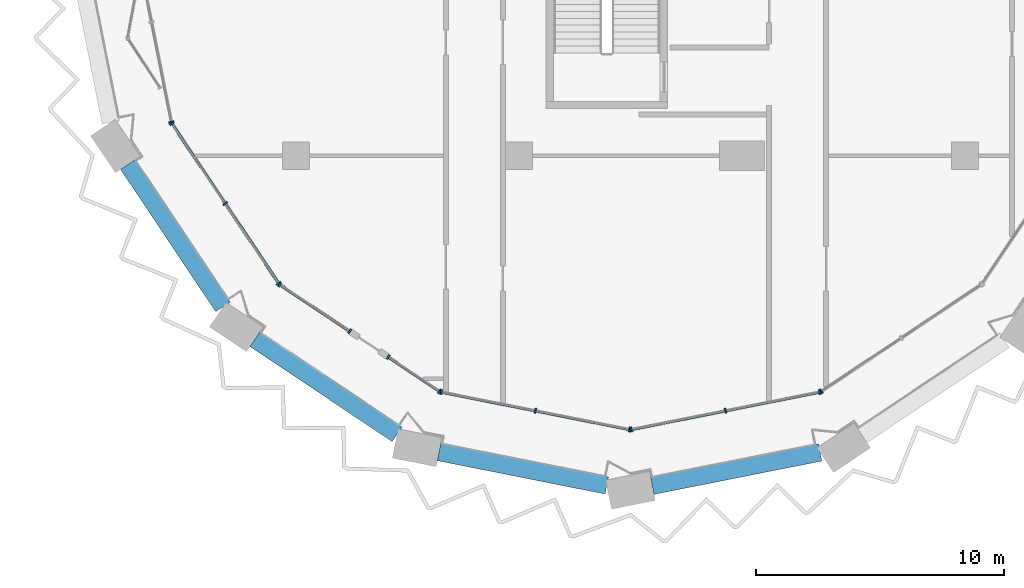
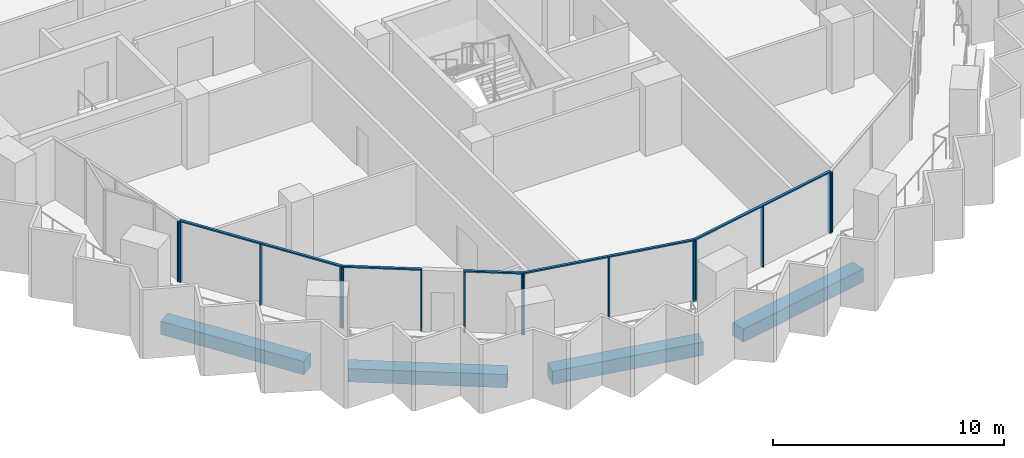
# One storey, part 2 of 18: 20 members, 4 beams, 7 elements without a shape of their own.
"""IFC4 building model written with IfcOpenShell, lengths in metres."""

from ifc_helpers import new_model, si_unit, direction, frame, origin, origin_2d, place, context, subcontext, project, spatial, rectangle, extrude, material, material_profile, profile_set, type_object, element, aggregate, save


model = new_model("IFC4")

# Units and contexts
model_context = context("Model", 3, precision=1e-05, world=origin(), true_north=direction((0.0, 1.0)))
body_context = subcontext(model_context, "Body", "Model", "MODEL_VIEW")
ifc_project = project(units=[si_unit("LENGTHUNIT", "METRE"), si_unit("AREAUNIT", "SQUARE_METRE"), si_unit("VOLUMEUNIT", "CUBIC_METRE"), si_unit("PLANEANGLEUNIT", "RADIAN"), si_unit("MASSUNIT", "GRAM", prefix="KILO")], contexts=[model_context])

# Site, building, storey
site_placement = place(None, origin())
site = spatial("IfcSite", under=ifc_project, at=site_placement, CompositionType="ELEMENT")
building_placement = place(site_placement, origin())
building = spatial("IfcBuilding", under=site, at=building_placement, Name="Hunhe Ridgeline Campus", CompositionType="ELEMENT")
storey_placement = place(building_placement, frame((0.0, 0.0, 223.5)))
storey = spatial("IfcBuildingStorey", under=building, at=storey_placement, Name="L57", CompositionType="ELEMENT", Elevation=223.5)

# Curtain wall, member
ifc_material_1 = material(Name="Aluminium 6063", Category="aluminium")
curtain_wall_type = type_object("IfcCurtainWallType", Name="Curtain wall CW-5", PredefinedType="NOTDEFINED", material=ifc_material_1)
curtain_wall_1_placement = place(storey_placement, origin())
curtain_wall_1 = element("IfcCurtainWall", 1, at=curtain_wall_1_placement, inside=storey, type_object=curtain_wall_type, Name="Curtain wall 01", PredefinedType="NOTDEFINED")
ifc_material_profile_1 = material_profile(ifc_material_1, rectangle(XDim=0.199951171875, YDim=0.070068359375, at=origin_2d()))
ifc_profile_set_1 = profile_set([ifc_material_profile_1], Name="Aluminium 6063")
member_type_1 = type_object("IfcMemberType", Name="CW-5 aluminium mullion", PredefinedType="MULLION", material=ifc_profile_set_1)
member_1_placement = place(storey_placement, frame((3.967529296875, 28.36083984375, 0.0), z_axis=(0.0, 0.0, 1.0), x_axis=(0.980784280831, 0.195095347137, 0.0)))
member_1 = element("IfcMember", 2, at=member_1_placement, type_object=member_type_1, Name="CW-5 mullion 3", PredefinedType="MULLION", context=body_context, shape_type="SweptSolid", body=[
    extrude(rectangle(XDim=0.199951171875, YDim=0.070068359375, at=origin_2d()), origin(), (0.0, 0.0, 1.0), 3.179931640625),
])
aggregate(curtain_wall_1, [member_1])

# Curtain wall, members
curtain_wall_2_placement = place(storey_placement, origin())
curtain_wall_2 = element("IfcCurtainWall", 3, at=curtain_wall_2_placement, inside=storey, type_object=curtain_wall_type, Name="Curtain wall 02", PredefinedType="NOTDEFINED")
member_2_placement = place(storey_placement, frame((3.993896484375, 28.29736328125, 0.0), z_axis=(0.0, 0.0, 1.0), x_axis=(0.831469584522, 0.555570274596, 0.0)))
member_2 = element("IfcMember", 4, at=member_2_placement, type_object=member_type_1, Name="CW-5 mullion 1", PredefinedType="MULLION", context=body_context, shape_type="SweptSolid", body=[
    extrude(rectangle(XDim=0.199951171875, YDim=0.070068359375, at=origin_2d()), origin(), (0.0, 0.0, 1.0), 3.179931640625),
])
member_3_placement = place(storey_placement, frame((6.147705078125, 25.07373046875, 0.0), z_axis=(0.0, 0.0, 1.0), x_axis=(0.831469584522, 0.555570274596, 0.0)))
member_3 = element("IfcMember", 5, at=member_3_placement, type_object=member_type_1, Name="CW-5 mullion 2", PredefinedType="MULLION", context=body_context, shape_type="SweptSolid", body=[
    extrude(rectangle(XDim=0.199951171875, YDim=0.070068359375, at=origin_2d()), origin(), (0.0, 0.0, 1.0), 3.179931640625),
])
member_4_placement = place(storey_placement, frame((8.3017578125, 21.850341796875, 0.0), z_axis=(0.0, 0.0, 1.0), x_axis=(0.831469584522, 0.555570274596, 0.0)))
member_4 = element("IfcMember", 6, at=member_4_placement, type_object=member_type_1, Name="CW-5 mullion 3", PredefinedType="MULLION", context=body_context, shape_type="SweptSolid", body=[
    extrude(rectangle(XDim=0.199951171875, YDim=0.070068359375, at=origin_2d()), origin(), (0.0, 0.0, 1.0), 3.179931640625),
])

curtain_wall_3_placement = place(storey_placement, origin())
curtain_wall_3 = element("IfcCurtainWall", 7, at=curtain_wall_3_placement, inside=storey, type_object=curtain_wall_type, Name="Curtain wall 03", PredefinedType="NOTDEFINED")
member_5_placement = place(storey_placement, frame((8.350341796875, 21.8017578125, 0.0), z_axis=(0.0, 0.0, 1.0), x_axis=(0.555570257501, 0.831469595944, 0.0)))
member_5 = element("IfcMember", 8, at=member_5_placement, type_object=member_type_1, Name="CW-5 mullion 1", PredefinedType="MULLION", context=body_context, shape_type="SweptSolid", body=[
    extrude(rectangle(XDim=0.199951171875, YDim=0.070068359375, at=origin_2d()), origin(), (0.0, 0.0, 1.0), 3.179931640625),
])
member_6_placement = place(storey_placement, frame((11.17041015625, 19.917236328125, 0.0), z_axis=(0.0, 0.0, 1.0), x_axis=(0.555570257501, 0.831469595944, 0.0)))
member_6 = element("IfcMember", 9, at=member_6_placement, type_object=member_type_1, Name="CW-5 mullion 2", PredefinedType="MULLION", context=body_context, shape_type="SweptSolid", body=[
    extrude(rectangle(XDim=0.199951171875, YDim=0.070068359375, at=origin_2d()), origin(), (0.0, 0.0, 1.0), 3.179931640625),
])

curtain_wall_4_placement = place(storey_placement, origin())
curtain_wall_4 = element("IfcCurtainWall", 10, at=curtain_wall_4_placement, inside=storey, type_object=curtain_wall_type, Name="Curtain wall 04", PredefinedType="NOTDEFINED")
member_7_placement = place(storey_placement, frame((12.725341796875, 18.87841796875, 0.0), z_axis=(0.0, 0.0, 1.0), x_axis=(0.555570385598, 0.831469510353, 0.0)))
member_7 = element("IfcMember", 11, at=member_7_placement, type_object=member_type_1, Name="CW-5 mullion 1", PredefinedType="MULLION", context=body_context, shape_type="SweptSolid", body=[
    extrude(rectangle(XDim=0.199951171875, YDim=0.070068359375, at=origin_2d()), origin(), (0.0, 0.0, 1.0), 3.179931640625),
])
member_8_placement = place(storey_placement, frame((14.79736328125, 17.493896484375, 0.0), z_axis=(0.0, 0.0, 1.0), x_axis=(0.555570385598, 0.831469510353, 0.0)))
member_8 = element("IfcMember", 12, at=member_8_placement, type_object=member_type_1, Name="CW-5 mullion 2", PredefinedType="MULLION", context=body_context, shape_type="SweptSolid", body=[
    extrude(rectangle(XDim=0.199951171875, YDim=0.070068359375, at=origin_2d()), origin(), (0.0, 0.0, 1.0), 3.179931640625),
])

curtain_wall_5_placement = place(storey_placement, origin())
curtain_wall_5 = element("IfcCurtainWall", 13, at=curtain_wall_5_placement, inside=storey, type_object=curtain_wall_type, Name="Curtain wall 05", PredefinedType="NOTDEFINED")
member_9_placement = place(storey_placement, frame((14.86083984375, 17.467529296875, 0.0), z_axis=(0.0, 0.0, 1.0), x_axis=(0.195090347539, 0.980785275326, 0.0)))
member_9 = element("IfcMember", 14, at=member_9_placement, type_object=member_type_1, Name="CW-5 mullion 1", PredefinedType="MULLION", context=body_context, shape_type="SweptSolid", body=[
    extrude(rectangle(XDim=0.199951171875, YDim=0.070068359375, at=origin_2d()), origin(), (0.0, 0.0, 1.0), 3.179931640625),
])
member_10_placement = place(storey_placement, frame((18.663330078125, 16.711181640625, 0.0), z_axis=(0.0, 0.0, 1.0), x_axis=(0.195090347539, 0.980785275326, 0.0)))
member_10 = element("IfcMember", 15, at=member_10_placement, type_object=member_type_1, Name="CW-5 mullion 2", PredefinedType="MULLION", context=body_context, shape_type="SweptSolid", body=[
    extrude(rectangle(XDim=0.199951171875, YDim=0.070068359375, at=origin_2d()), origin(), (0.0, 0.0, 1.0), 3.179931640625),
])
member_11_placement = place(storey_placement, frame((22.465576171875, 15.954833984375, 0.0), z_axis=(0.0, 0.0, 1.0), x_axis=(0.195090347539, 0.980785275326, 0.0)))
member_11 = element("IfcMember", 16, at=member_11_placement, type_object=member_type_1, Name="CW-5 mullion 3", PredefinedType="MULLION", context=body_context, shape_type="SweptSolid", body=[
    extrude(rectangle(XDim=0.199951171875, YDim=0.070068359375, at=origin_2d()), origin(), (0.0, 0.0, 1.0), 3.179931640625),
])

curtain_wall_6_placement = place(storey_placement, origin())
curtain_wall_6 = element("IfcCurtainWall", 17, at=curtain_wall_6_placement, inside=storey, type_object=curtain_wall_type, Name="Curtain wall 06", PredefinedType="NOTDEFINED")
member_12_placement = place(storey_placement, frame((22.534423828125, 15.954833984375, 0.0), z_axis=(0.0, 0.0, 1.0), x_axis=(-0.195090347539, 0.980785275326, 0.0)))
member_12 = element("IfcMember", 18, at=member_12_placement, type_object=member_type_1, Name="CW-5 mullion 1", PredefinedType="MULLION", context=body_context, shape_type="SweptSolid", body=[
    extrude(rectangle(XDim=0.199951171875, YDim=0.070068359375, at=origin_2d()), origin(), (0.0, 0.0, 1.0), 3.179931640625),
])
member_13_placement = place(storey_placement, frame((26.336669921875, 16.711181640625, 0.0), z_axis=(0.0, 0.0, 1.0), x_axis=(-0.195090347539, 0.980785275326, 0.0)))
member_13 = element("IfcMember", 19, at=member_13_placement, type_object=member_type_1, Name="CW-5 mullion 2", PredefinedType="MULLION", context=body_context, shape_type="SweptSolid", body=[
    extrude(rectangle(XDim=0.199951171875, YDim=0.070068359375, at=origin_2d()), origin(), (0.0, 0.0, 1.0), 3.179931640625),
])
member_14_placement = place(storey_placement, frame((30.13916015625, 17.467529296875, 0.0), z_axis=(0.0, 0.0, 1.0), x_axis=(-0.195090347539, 0.980785275326, 0.0)))
member_14 = element("IfcMember", 20, at=member_14_placement, type_object=member_type_1, Name="CW-5 mullion 3", PredefinedType="MULLION", context=body_context, shape_type="SweptSolid", body=[
    extrude(rectangle(XDim=0.199951171875, YDim=0.070068359375, at=origin_2d()), origin(), (0.0, 0.0, 1.0), 3.179931640625),
])

# Curtain wall, member
curtain_wall_7_placement = place(storey_placement, origin())
curtain_wall_7 = element("IfcCurtainWall", 21, at=curtain_wall_7_placement, inside=storey, type_object=curtain_wall_type, Name="Curtain wall 07", PredefinedType="NOTDEFINED")
member_15_placement = place(storey_placement, frame((30.20263671875, 17.493896484375, 0.0), z_axis=(0.0, 0.0, 1.0), x_axis=(-0.555570274596, 0.831469584522, 0.0)))
member_15 = element("IfcMember", 22, at=member_15_placement, type_object=member_type_1, Name="CW-5 mullion 1", PredefinedType="MULLION", context=body_context, shape_type="SweptSolid", body=[
    extrude(rectangle(XDim=0.199951171875, YDim=0.070068359375, at=origin_2d()), origin(), (0.0, 0.0, 1.0), 3.179931640625),
])
aggregate(curtain_wall_7, [member_15])

# Member
ifc_material_profile_2 = material_profile(ifc_material_1, rectangle(XDim=0.1201171875, YDim=0.070068359375, at=origin_2d()))
ifc_profile_set_2 = profile_set([ifc_material_profile_2], Name="Aluminium 6063")
member_type_2 = type_object("IfcMemberType", Name="CW-5 aluminium transom", PredefinedType="USERDEFINED", material=ifc_profile_set_2)
member_16_placement = place(storey_placement, frame((3.974365234375, 28.326416015625, 3.215087890625), z_axis=(0.5555640203, -0.831473763475, 0.0), x_axis=(0.831473763475, 0.5555640203, 0.0)))
member_16 = element("IfcMember", 23, at=member_16_placement, type_object=member_type_2, Name="CW-5 transom 1", ObjectType="TRANSOM", PredefinedType="USERDEFINED", context=body_context, shape_type="SweptSolid", body=[
    extrude(rectangle(XDim=0.1201171875, YDim=0.070068359375, at=origin_2d()), origin(), (0.0, 0.0, 1.0), 7.823974609375),
])

aggregate(curtain_wall_2, [member_16, member_2, member_3, member_4])

member_17_placement = place(storey_placement, frame((8.321044921875, 21.821044921875, 3.215087890625), z_axis=(0.831485714606, -0.555546133463, 0.0), x_axis=(0.555546133463, 0.831485714606, 0.0)))
member_17 = element("IfcMember", 24, at=member_17_placement, type_object=member_type_2, Name="CW-5 transom 1", ObjectType="TRANSOM", PredefinedType="USERDEFINED", context=body_context, shape_type="SweptSolid", body=[
    extrude(rectangle(XDim=0.1201171875, YDim=0.070068359375, at=origin_2d()), origin(), (0.0, 0.0, 1.0), 3.462158203125),
])

aggregate(curtain_wall_3, [member_17, member_5, member_6])

member_18_placement = place(storey_placement, frame((12.6962890625, 18.897705078125, 3.215087890625), z_axis=(0.831463388334, -0.555579547735, 0.0), x_axis=(0.555579547735, 0.831463388334, 0.0)))
member_18 = element("IfcMember", 25, at=member_18_placement, type_object=member_type_2, Name="CW-5 transom 1", ObjectType="TRANSOM", PredefinedType="USERDEFINED", context=body_context, shape_type="SweptSolid", body=[
    extrude(rectangle(XDim=0.1201171875, YDim=0.070068359375, at=origin_2d()), origin(), (0.0, 0.0, 1.0), 2.56201171875),
])

aggregate(curtain_wall_4, [member_18, member_7, member_8])

member_19_placement = place(storey_placement, frame((14.826416015625, 17.474365234375, 3.215087890625), z_axis=(0.980785367689, -0.195089883198, 0.0), x_axis=(0.195089883198, 0.980785367689, 0.0)))
member_19 = element("IfcMember", 26, at=member_19_placement, type_object=member_type_2, Name="CW-5 transom 1", ObjectType="TRANSOM", PredefinedType="USERDEFINED", context=body_context, shape_type="SweptSolid", body=[
    extrude(rectangle(XDim=0.1201171875, YDim=0.070068359375, at=origin_2d()), origin(), (0.0, 0.0, 1.0), 7.823974609375),
])

aggregate(curtain_wall_5, [member_19, member_9, member_10, member_11])

member_20_placement = place(storey_placement, frame((22.5, 15.947998046875, 3.215087890625), z_axis=(0.980785367689, 0.195089883198, 0.0), x_axis=(-0.195089883198, 0.980785367689, 0.0)))
member_20 = element("IfcMember", 27, at=member_20_placement, type_object=member_type_2, Name="CW-5 transom 1", ObjectType="TRANSOM", PredefinedType="USERDEFINED", context=body_context, shape_type="SweptSolid", body=[
    extrude(rectangle(XDim=0.1201171875, YDim=0.070068359375, at=origin_2d()), origin(), (0.0, 0.0, 1.0), 7.823974609375),
])

aggregate(curtain_wall_6, [member_20, member_12, member_13, member_14])

# Beams
ifc_material_2 = material(Name="Concrete C50", Category="concrete")
ifc_material_profile_3 = material_profile(ifc_material_2, rectangle(XDim=0.699951171875, YDim=0.699951171875, at=origin_2d()))
ifc_profile_set_3 = profile_set([ifc_material_profile_3], Name="Concrete C50")
beam_type = type_object("IfcBeamType", Name="RC spandrel beam 700x700 Concrete C50", PredefinedType="SPANDREL", material=ifc_profile_set_3)
for number, where, z_axis, x_axis, name in (
    (28, (2.212646484375, 26.641357421875, -0.60009765625), (0.55557295, -0.831467796868, 0.0), (0.831467796868, 0.55557295, 0.0), "Spandrel beam B3-2 L57"),
    (29, (7.33837890625, 19.590087890625, -0.60009765625), (0.831467796868, -0.55557295, 0.0), (0.55557295, 0.831467796868, 0.0), "Spandrel beam B3-3 L57"),
    (30, (14.772216796875, 15.037109375, -0.60009765625), (0.980784124029, -0.195096135414, 0.0), (0.195096135414, 0.980784124029, 0.0), "Spandrel beam B3-4 L57"),
    (31, (23.3828125, 13.675537109375, -0.60009765625), (0.980782778209, 0.195102900975, 0.0), (-0.195102900975, 0.980782778209, 0.0), "Spandrel beam B3-5 L57"),
):
    element("IfcBeam", number, at=place(storey_placement, frame(where, z_axis=z_axis, x_axis=x_axis)), inside=storey, type_object=beam_type, Name=name, PredefinedType="SPANDREL", context=body_context, shape_type="SweptSolid", body=[
        extrude(rectangle(XDim=0.699951171875, YDim=0.699951171875, at=origin_2d()), origin(), (0.0, 0.0, 1.0), 6.905029296875),
    ])

save(model, "model.ifc")
